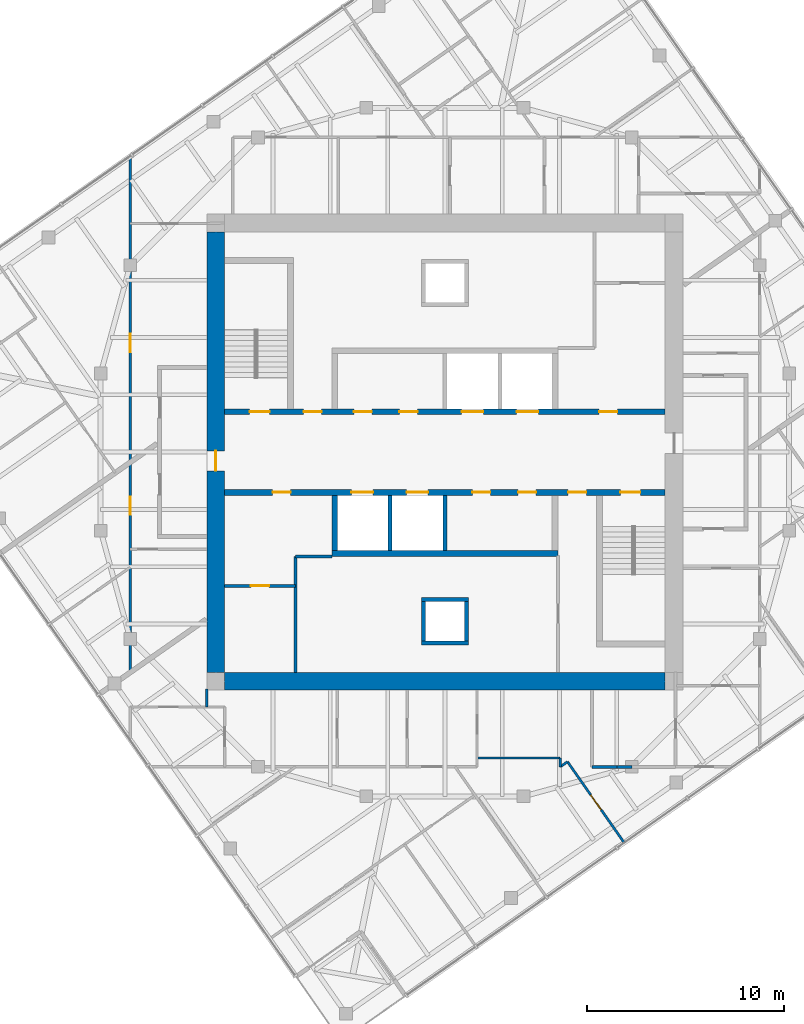
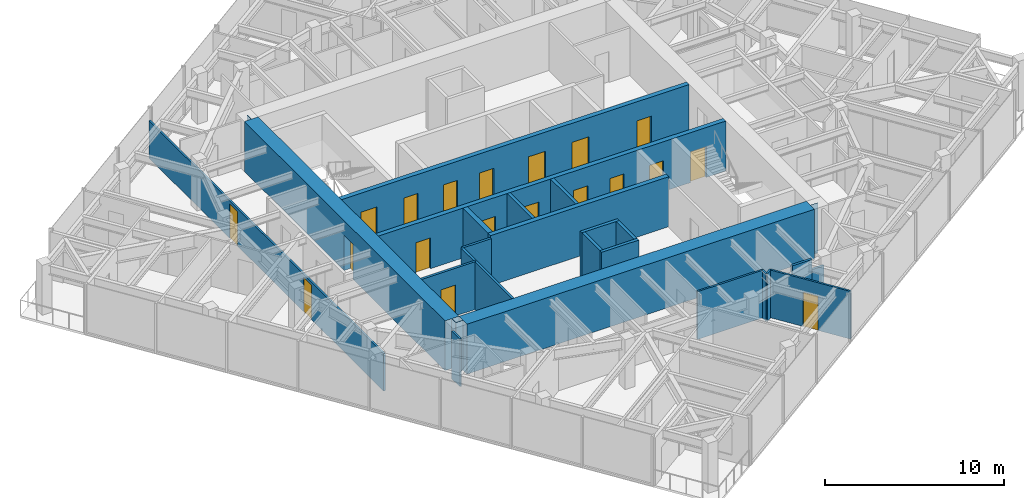
# One storey, part 8 of 12: 23 walls, 19 doors, 19 openings.
"""IFC4 building model written with IfcOpenShell, lengths in metres."""

from ifc_helpers import new_model, si_unit, direction, frame, frame_2d, origin, place, context, subcontext, project, spatial, polyline, rectangle, outline, extrude, material, layer, layer_set, type_object, element, fill, save


model = new_model("IFC4")

# Units and contexts
model_context = context("Model", 3, precision=1e-05, world=origin(), true_north=direction((0.0, 1.0)))
body_context = subcontext(model_context, "Body", "Model", "MODEL_VIEW")
ifc_project = project(units=[si_unit("LENGTHUNIT", "METRE"), si_unit("AREAUNIT", "SQUARE_METRE"), si_unit("VOLUMEUNIT", "CUBIC_METRE"), si_unit("PLANEANGLEUNIT", "RADIAN"), si_unit("MASSUNIT", "GRAM", prefix="KILO")], contexts=[model_context])

# Site, building, storey
site_placement = place(None, origin())
site = spatial("IfcSite", under=ifc_project, at=site_placement, CompositionType="ELEMENT")
building_placement = place(site_placement, origin())
building = spatial("IfcBuilding", under=site, at=building_placement, Name="Torsade Residences", CompositionType="ELEMENT")
storey_placement = place(building_placement, frame((0.0, 0.0, 250.60009765625)))
storey = spatial("IfcBuildingStorey", under=building, at=storey_placement, Name="L69", CompositionType="ELEMENT", Elevation=250.60009765625)

# Wall, openings, doors
ifc_material_1 = material(Name="Concrete 80 MPa", Category="concrete")
ifc_layer_1 = layer(ifc_material_1, 0.300048828125)
ifc_layer_set_1 = layer_set([ifc_layer_1], Name="Concrete 80 MPa")
wall_type_1 = type_object("IfcWallType", Name="CORE INTERNAL WALL 300", PredefinedType="SHEAR", material=ifc_layer_set_1)
wall_1_placement = place(storey_placement, frame((28.800048828125, 32.050048828125, 0.0), z_axis=(0.0, 0.0, 1.0), x_axis=(1.0, 0.0, 0.0)))
wall_1 = element("IfcWall", 1, at=wall_1_placement, inside=storey, type_object=wall_type_1, Name="Core wall LN L69", PredefinedType="SHEAR", context=body_context, shape_type="SweptSolid", body=[
    extrude(rectangle(XDim=22.39990234375, YDim=0.300048828125, at=frame_2d((11.199951171875, 0.0))), origin(), (0.0, 0.0, 1.0), 3.39990234375),
])
opening_1_placement = place(wall_1_placement, frame((19.0400390625, 0.0, 0.0)))
opening_1 = element("IfcOpeningElement", 2, at=opening_1_placement, cuts=wall_1, Name="Opening D06", PredefinedType="OPENING", context=body_context, shape_type="SweptSolid", body=[
    extrude(rectangle(XDim=0.919921875, YDim=2.10009765625, at=frame_2d((0.4599609375, 1.050048828125))), frame((0.0, 0.159912109375, 0.0), z_axis=(0.0, -1.0, 0.0), x_axis=(1.0, 0.0, 0.0)), (0.0, 0.0, 1.0), 0.320068359375),
])
opening_2_placement = place(wall_1_placement, frame((1.264892578125, 0.0, 0.0)))
opening_2 = element("IfcOpeningElement", 3, at=opening_2_placement, cuts=wall_1, Name="Opening D03", PredefinedType="OPENING", context=body_context, shape_type="SweptSolid", body=[
    extrude(rectangle(XDim=1.02001953125, YDim=2.10009765625, at=frame_2d((0.510009765625, 1.050048828125))), frame((0.0, 0.159912109375, 0.0), z_axis=(0.0, -1.0, 0.0), x_axis=(1.0, 0.0, 0.0)), (0.0, 0.0, 1.0), 0.320068359375),
])
opening_3_placement = place(wall_1_placement, frame((4.014892578125, 0.0, 0.0)))
opening_3 = element("IfcOpeningElement", 4, at=opening_3_placement, cuts=wall_1, Name="Opening D06", PredefinedType="OPENING", context=body_context, shape_type="SweptSolid", body=[
    extrude(rectangle(XDim=0.919921875, YDim=2.10009765625, at=frame_2d((0.4599609375, 1.050048828125))), frame((0.0, 0.159912109375, 0.0), z_axis=(0.0, -1.0, 0.0), x_axis=(1.0, 0.0, 0.0)), (0.0, 0.0, 1.0), 0.320068359375),
])
opening_4_placement = place(wall_1_placement, frame((6.56494140625, 0.0, 0.0)))
opening_4 = element("IfcOpeningElement", 5, at=opening_4_placement, cuts=wall_1, Name="Opening D06", PredefinedType="OPENING", context=body_context, shape_type="SweptSolid", body=[
    extrude(rectangle(XDim=0.919921875, YDim=2.10009765625, at=frame_2d((0.4599609375, 1.050048828125))), frame((0.0, 0.159912109375, 0.0), z_axis=(0.0, -1.0, 0.0), x_axis=(1.0, 0.0, 0.0)), (0.0, 0.0, 1.0), 0.320068359375),
])
opening_5_placement = place(wall_1_placement, frame((8.889892578125, 0.0, 0.0)))
opening_5 = element("IfcOpeningElement", 6, at=opening_5_placement, cuts=wall_1, Name="Opening D06", PredefinedType="OPENING", context=body_context, shape_type="SweptSolid", body=[
    extrude(rectangle(XDim=0.919921875, YDim=2.10009765625, at=frame_2d((0.4599609375, 1.050048828125))), frame((0.0, 0.159912109375, 0.0), z_axis=(0.0, -1.0, 0.0), x_axis=(1.0, 0.0, 0.0)), (0.0, 0.0, 1.0), 0.320068359375),
])
opening_6_placement = place(wall_1_placement, frame((12.050048828125, 0.0, 0.0)))
opening_6 = element("IfcOpeningElement", 7, at=opening_6_placement, cuts=wall_1, Name="Opening LD", PredefinedType="OPENING", context=body_context, shape_type="SweptSolid", body=[
    extrude(rectangle(XDim=1.10009765625, YDim=2.10009765625, at=frame_2d((0.550048828125, 1.050048828125))), frame((0.0, 0.159912109375, 0.0), z_axis=(0.0, -1.0, 0.0), x_axis=(1.0, 0.0, 0.0)), (0.0, 0.0, 1.0), 0.320068359375),
])
opening_7_placement = place(wall_1_placement, frame((14.85009765625, 0.0, 0.0)))
opening_7 = element("IfcOpeningElement", 8, at=opening_7_placement, cuts=wall_1, Name="Opening LD", PredefinedType="OPENING", context=body_context, shape_type="SweptSolid", body=[
    extrude(rectangle(XDim=1.10009765625, YDim=2.10009765625, at=frame_2d((0.550048828125, 1.050048828125))), frame((0.0, 0.159912109375, 0.0), z_axis=(0.0, -1.0, 0.0), x_axis=(1.0, 0.0, 0.0)), (0.0, 0.0, 1.0), 0.320068359375),
])
ifc_material_2 = material(Name="Steel-framed fire door", Category="steel")
door_type_1 = type_object("IfcDoorType", Name="FIRE DOOR 1020", OperationType="NOTDEFINED", PredefinedType="DOOR", material=ifc_material_2)
door_1_placement = place(opening_2_placement, origin())
door_1 = element("IfcDoor", 9, at=door_1_placement, inside=storey, type_object=door_type_1, Name="Exit door to fire-isolated stair ST1 L69", OperationType="SINGLE_SWING_RIGHT", OverallHeight=2.10009765625, OverallWidth=1.02001953125, PredefinedType="DOOR", context=body_context, shape_type="SweptSolid", body=[
    extrude(rectangle(XDim=1.02001953125, YDim=2.10009765625, at=frame_2d((0.510009765625, 1.050048828125))), frame((0.0, 0.02490234375, 0.0), z_axis=(0.0, -1.0, 0.0), x_axis=(1.0, 0.0, 0.0)), (0.0, 0.0, 1.0), 0.050048828125),
])
fill(opening_2, door_1)
ifc_material_3 = material(Name="Steel-framed fire door", Category="steel")
door_type_2 = type_object("IfcDoorType", Name="FIRE DOOR 920", OperationType="NOTDEFINED", PredefinedType="DOOR", material=ifc_material_3)
door_2_placement = place(opening_1_placement, origin())
door_2 = element("IfcDoor", 10, at=door_2_placement, inside=storey, type_object=door_type_2, Name="Door Lift lobby to Refuse room", OperationType="SINGLE_SWING_LEFT", OverallHeight=2.10009765625, OverallWidth=0.919921875, PredefinedType="DOOR", context=body_context, shape_type="SweptSolid", body=[
    extrude(rectangle(XDim=0.919921875, YDim=2.10009765625, at=frame_2d((0.4599609375, 1.050048828125))), frame((0.0, 0.02490234375, 0.0), z_axis=(0.0, -1.0, 0.0), x_axis=(1.0, 0.0, 0.0)), (0.0, 0.0, 1.0), 0.050048828125),
])
fill(opening_1, door_2)
door_3_placement = place(opening_3_placement, origin())
door_3 = element("IfcDoor", 11, at=door_3_placement, inside=storey, type_object=door_type_2, Name="Door Lift lobby to Electrical riser room", OperationType="SINGLE_SWING_LEFT", OverallHeight=2.10009765625, OverallWidth=0.919921875, PredefinedType="DOOR", context=body_context, shape_type="SweptSolid", body=[
    extrude(rectangle(XDim=0.919921875, YDim=2.10009765625, at=frame_2d((0.4599609375, 1.050048828125))), frame((0.0, 0.02490234375, 0.0), z_axis=(0.0, -1.0, 0.0), x_axis=(1.0, 0.0, 0.0)), (0.0, 0.0, 1.0), 0.050048828125),
])
fill(opening_3, door_3)
door_4_placement = place(opening_4_placement, origin())
door_4 = element("IfcDoor", 12, at=door_4_placement, inside=storey, type_object=door_type_2, Name="Door Lift lobby to Building manager store L69A", OperationType="SINGLE_SWING_LEFT", OverallHeight=2.10009765625, OverallWidth=0.919921875, PredefinedType="DOOR", context=body_context, shape_type="SweptSolid", body=[
    extrude(rectangle(XDim=0.919921875, YDim=2.10009765625, at=frame_2d((0.4599609375, 1.050048828125))), frame((0.0, 0.02490234375, 0.0), z_axis=(0.0, -1.0, 0.0), x_axis=(1.0, 0.0, 0.0)), (0.0, 0.0, 1.0), 0.050048828125),
])
fill(opening_4, door_4)
door_5_placement = place(opening_5_placement, origin())
door_5 = element("IfcDoor", 13, at=door_5_placement, inside=storey, type_object=door_type_2, Name="Door Lift lobby to Building manager store L69A", OperationType="SINGLE_SWING_LEFT", OverallHeight=2.10009765625, OverallWidth=0.919921875, PredefinedType="DOOR", context=body_context, shape_type="SweptSolid", body=[
    extrude(rectangle(XDim=0.919921875, YDim=2.10009765625, at=frame_2d((0.4599609375, 1.050048828125))), frame((0.0, 0.02490234375, 0.0), z_axis=(0.0, -1.0, 0.0), x_axis=(1.0, 0.0, 0.0)), (0.0, 0.0, 1.0), 0.050048828125),
])
fill(opening_5, door_5)
ifc_material_4 = material(Name="Stainless steel lift landing door", Category="steel")
door_type_3 = type_object("IfcDoorType", Name="LIFT LANDING DOOR 1100", OperationType="SLIDING_TO_LEFT", PredefinedType="DOOR", material=ifc_material_4)
door_6_placement = place(opening_6_placement, origin())
door_6 = element("IfcDoor", 14, at=door_6_placement, inside=storey, type_object=door_type_3, Name="Lift LA3 landing door L69", OperationType="SLIDING_TO_LEFT", OverallHeight=2.10009765625, OverallWidth=1.10009765625, PredefinedType="DOOR", context=body_context, shape_type="SweptSolid", body=[
    extrude(rectangle(XDim=1.10009765625, YDim=2.10009765625, at=frame_2d((0.550048828125, 1.050048828125))), frame((0.0, 0.02490234375, 0.0), z_axis=(0.0, -1.0, 0.0), x_axis=(1.0, 0.0, 0.0)), (0.0, 0.0, 1.0), 0.050048828125),
])
fill(opening_6, door_6)
door_7_placement = place(opening_7_placement, origin())
door_7 = element("IfcDoor", 15, at=door_7_placement, inside=storey, type_object=door_type_3, Name="Lift FL1 landing door L69", OperationType="SLIDING_TO_LEFT", OverallHeight=2.10009765625, OverallWidth=1.10009765625, PredefinedType="DOOR", context=body_context, shape_type="SweptSolid", body=[
    extrude(rectangle(XDim=1.10009765625, YDim=2.10009765625, at=frame_2d((0.550048828125, 1.050048828125))), frame((0.0, 0.02490234375, 0.0), z_axis=(0.0, -1.0, 0.0), x_axis=(1.0, 0.0, 0.0)), (0.0, 0.0, 1.0), 0.050048828125),
])
fill(opening_7, door_7)

wall_2_placement = place(storey_placement, frame((51.199951171875, 27.949951171875, 0.0), z_axis=(0.0, 0.0, 1.0), x_axis=(-1.0, 0.0, 0.0)))
wall_2 = element("IfcWall", 16, at=wall_2_placement, inside=storey, type_object=wall_type_1, Name="Core wall LS L69", PredefinedType="SHEAR", context=body_context, shape_type="SweptSolid", body=[
    extrude(rectangle(XDim=22.39990234375, YDim=0.300048828125, at=frame_2d((11.199951171875, 0.0))), origin(), (0.0, 0.0, 1.0), 3.39990234375),
])
opening_8_placement = place(wall_2_placement, frame((19.0400390625, 0.0, 0.0)))
opening_8 = element("IfcOpeningElement", 17, at=opening_8_placement, cuts=wall_2, Name="Opening D06", PredefinedType="OPENING", context=body_context, shape_type="SweptSolid", body=[
    extrude(rectangle(XDim=0.919921875, YDim=2.10009765625, at=frame_2d((0.4599609375, 1.050048828125))), frame((0.0, 0.159912109375, 0.0), z_axis=(0.0, -1.0, 0.0), x_axis=(1.0, 0.0, 0.0)), (0.0, 0.0, 1.0), 0.320068359375),
])
opening_9_placement = place(wall_2_placement, frame((1.264892578125, 0.0, 0.0)))
opening_9 = element("IfcOpeningElement", 18, at=opening_9_placement, cuts=wall_2, Name="Opening D03", PredefinedType="OPENING", context=body_context, shape_type="SweptSolid", body=[
    extrude(rectangle(XDim=1.02001953125, YDim=2.10009765625, at=frame_2d((0.510009765625, 1.050048828125))), frame((0.0, 0.159912109375, 0.0), z_axis=(0.0, -1.0, 0.0), x_axis=(1.0, 0.0, 0.0)), (0.0, 0.0, 1.0), 0.320068359375),
])
opening_10_placement = place(wall_2_placement, frame((4.014892578125, 0.0, 0.0)))
opening_10 = element("IfcOpeningElement", 19, at=opening_10_placement, cuts=wall_2, Name="Opening D06", PredefinedType="OPENING", context=body_context, shape_type="SweptSolid", body=[
    extrude(rectangle(XDim=0.919921875, YDim=2.10009765625, at=frame_2d((0.4599609375, 1.050048828125))), frame((0.0, 0.159912109375, 0.0), z_axis=(0.0, -1.0, 0.0), x_axis=(1.0, 0.0, 0.0)), (0.0, 0.0, 1.0), 0.320068359375),
])
opening_11_placement = place(wall_2_placement, frame((8.889892578125, 0.0, 0.0)))
opening_11 = element("IfcOpeningElement", 20, at=opening_11_placement, cuts=wall_2, Name="Opening D06", PredefinedType="OPENING", context=body_context, shape_type="SweptSolid", body=[
    extrude(rectangle(XDim=0.919921875, YDim=2.10009765625, at=frame_2d((0.4599609375, 1.050048828125))), frame((0.0, 0.159912109375, 0.0), z_axis=(0.0, -1.0, 0.0), x_axis=(1.0, 0.0, 0.0)), (0.0, 0.0, 1.0), 0.320068359375),
])
opening_12_placement = place(wall_2_placement, frame((6.56494140625, 0.0, 0.0)))
opening_12 = element("IfcOpeningElement", 21, at=opening_12_placement, cuts=wall_2, Name="Opening D06", PredefinedType="OPENING", context=body_context, shape_type="SweptSolid", body=[
    extrude(rectangle(XDim=0.919921875, YDim=2.10009765625, at=frame_2d((0.4599609375, 1.050048828125))), frame((0.0, 0.159912109375, 0.0), z_axis=(0.0, -1.0, 0.0), x_axis=(1.0, 0.0, 0.0)), (0.0, 0.0, 1.0), 0.320068359375),
])
opening_13_placement = place(wall_2_placement, frame((12.050048828125, 0.0, 0.0)))
opening_13 = element("IfcOpeningElement", 22, at=opening_13_placement, cuts=wall_2, Name="Opening LD", PredefinedType="OPENING", context=body_context, shape_type="SweptSolid", body=[
    extrude(rectangle(XDim=1.10009765625, YDim=2.10009765625, at=frame_2d((0.550048828125, 1.050048828125))), frame((0.0, 0.159912109375, 0.0), z_axis=(0.0, -1.0, 0.0), x_axis=(1.0, 0.0, 0.0)), (0.0, 0.0, 1.0), 0.320068359375),
])
opening_14_placement = place(wall_2_placement, frame((14.85009765625, 0.0, 0.0)))
opening_14 = element("IfcOpeningElement", 23, at=opening_14_placement, cuts=wall_2, Name="Opening LD", PredefinedType="OPENING", context=body_context, shape_type="SweptSolid", body=[
    extrude(rectangle(XDim=1.10009765625, YDim=2.10009765625, at=frame_2d((0.550048828125, 1.050048828125))), frame((0.0, 0.159912109375, 0.0), z_axis=(0.0, -1.0, 0.0), x_axis=(1.0, 0.0, 0.0)), (0.0, 0.0, 1.0), 0.320068359375),
])
door_8_placement = place(opening_9_placement, origin())
door_8 = element("IfcDoor", 24, at=door_8_placement, inside=storey, type_object=door_type_1, Name="Exit door to fire-isolated stair ST2 L69", OperationType="SINGLE_SWING_RIGHT", OverallHeight=2.10009765625, OverallWidth=1.02001953125, PredefinedType="DOOR", context=body_context, shape_type="SweptSolid", body=[
    extrude(rectangle(XDim=1.02001953125, YDim=2.10009765625, at=frame_2d((0.510009765625, 1.050048828125))), frame((0.0, 0.02490234375, 0.0), z_axis=(0.0, -1.0, 0.0), x_axis=(1.0, 0.0, 0.0)), (0.0, 0.0, 1.0), 0.050048828125),
])
fill(opening_9, door_8)
door_9_placement = place(opening_8_placement, origin())
door_9 = element("IfcDoor", 25, at=door_9_placement, inside=storey, type_object=door_type_2, Name="Door Lift lobby to Cleaner store", OperationType="SINGLE_SWING_LEFT", OverallHeight=2.10009765625, OverallWidth=0.919921875, PredefinedType="DOOR", context=body_context, shape_type="SweptSolid", body=[
    extrude(rectangle(XDim=0.919921875, YDim=2.10009765625, at=frame_2d((0.4599609375, 1.050048828125))), frame((0.0, 0.02490234375, 0.0), z_axis=(0.0, -1.0, 0.0), x_axis=(1.0, 0.0, 0.0)), (0.0, 0.0, 1.0), 0.050048828125),
])
fill(opening_8, door_9)
door_10_placement = place(opening_10_placement, origin())
door_10 = element("IfcDoor", 26, at=door_10_placement, inside=storey, type_object=door_type_2, Name="Door Lift lobby to Communications equipment store", OperationType="SINGLE_SWING_RIGHT", OverallHeight=2.10009765625, OverallWidth=0.919921875, PredefinedType="DOOR", context=body_context, shape_type="SweptSolid", body=[
    extrude(rectangle(XDim=0.919921875, YDim=2.10009765625, at=frame_2d((0.4599609375, 1.050048828125))), frame((0.0, 0.02490234375, 0.0), z_axis=(0.0, -1.0, 0.0), x_axis=(1.0, 0.0, 0.0)), (0.0, 0.0, 1.0), 0.050048828125),
])
fill(opening_10, door_10)
door_11_placement = place(opening_11_placement, origin())
door_11 = element("IfcDoor", 27, at=door_11_placement, inside=storey, type_object=door_type_2, Name="Door Lift lobby to Parcel room L69B", OperationType="SINGLE_SWING_LEFT", OverallHeight=2.10009765625, OverallWidth=0.919921875, PredefinedType="DOOR", context=body_context, shape_type="SweptSolid", body=[
    extrude(rectangle(XDim=0.919921875, YDim=2.10009765625, at=frame_2d((0.4599609375, 1.050048828125))), frame((0.0, 0.02490234375, 0.0), z_axis=(0.0, -1.0, 0.0), x_axis=(1.0, 0.0, 0.0)), (0.0, 0.0, 1.0), 0.050048828125),
])
fill(opening_11, door_11)
door_12_placement = place(opening_12_placement, origin())
door_12 = element("IfcDoor", 28, at=door_12_placement, inside=storey, type_object=door_type_2, Name="Door Lift lobby to Parcel room L69B", OperationType="SINGLE_SWING_RIGHT", OverallHeight=2.10009765625, OverallWidth=0.919921875, PredefinedType="DOOR", context=body_context, shape_type="SweptSolid", body=[
    extrude(rectangle(XDim=0.919921875, YDim=2.10009765625, at=frame_2d((0.4599609375, 1.050048828125))), frame((0.0, 0.02490234375, 0.0), z_axis=(0.0, -1.0, 0.0), x_axis=(1.0, 0.0, 0.0)), (0.0, 0.0, 1.0), 0.050048828125),
])
fill(opening_12, door_12)
door_13_placement = place(opening_13_placement, origin())
door_13 = element("IfcDoor", 29, at=door_13_placement, inside=storey, type_object=door_type_3, Name="Lift LB3 landing door L69", OperationType="SLIDING_TO_LEFT", OverallHeight=2.10009765625, OverallWidth=1.10009765625, PredefinedType="DOOR", context=body_context, shape_type="SweptSolid", body=[
    extrude(rectangle(XDim=1.10009765625, YDim=2.10009765625, at=frame_2d((0.550048828125, 1.050048828125))), frame((0.0, 0.02490234375, 0.0), z_axis=(0.0, -1.0, 0.0), x_axis=(1.0, 0.0, 0.0)), (0.0, 0.0, 1.0), 0.050048828125),
])
fill(opening_13, door_13)
door_14_placement = place(opening_14_placement, origin())
door_14 = element("IfcDoor", 30, at=door_14_placement, inside=storey, type_object=door_type_3, Name="Lift FL2 landing door L69", OperationType="SLIDING_TO_LEFT", OverallHeight=2.10009765625, OverallWidth=1.10009765625, PredefinedType="DOOR", context=body_context, shape_type="SweptSolid", body=[
    extrude(rectangle(XDim=1.10009765625, YDim=2.10009765625, at=frame_2d((0.550048828125, 1.050048828125))), frame((0.0, 0.02490234375, 0.0), z_axis=(0.0, -1.0, 0.0), x_axis=(1.0, 0.0, 0.0)), (0.0, 0.0, 1.0), 0.050048828125),
])
fill(opening_14, door_14)

# Walls
wall_3_placement = place(storey_placement, frame((45.75, 24.85009765625, 0.0), z_axis=(0.0, 0.0, 1.0), x_axis=(-1.0, 0.0, 0.0)))
element("IfcWall", 31, at=wall_3_placement, inside=storey, type_object=wall_type_1, Name="Core wall BS L69", PredefinedType="SHEAR", context=body_context, shape_type="SweptSolid", body=[
    extrude(rectangle(XDim=11.5, YDim=0.300048828125, at=frame_2d((5.75, 0.0))), origin(), (0.0, 0.0, 1.0), 3.39990234375),
])
wall_4_placement = place(storey_placement, frame((34.39990234375, 27.800048828125, 0.0), z_axis=(0.0, 0.0, 1.0), x_axis=(0.0, -1.0, 0.0)))
element("IfcWall", 32, at=wall_4_placement, inside=storey, type_object=wall_type_1, Name="Core wall DS4 L69", PredefinedType="SHEAR", context=body_context, shape_type="SweptSolid", body=[
    extrude(rectangle(XDim=2.800048828125, YDim=0.300048828125, at=frame_2d((1.39990234375, 0.0))), origin(), (0.0, 0.0, 1.0), 3.39990234375),
])
ifc_material_5 = material(Name="Concrete 80 MPa", Category="concrete")
ifc_layer_2 = layer(ifc_material_5, 0.89990234375)
ifc_layer_set_2 = layer_set([ifc_layer_2], Name="Concrete 80 MPa")
wall_type_2 = type_object("IfcWallType", Name="CORE WALL 900", PredefinedType="SHEAR", material=ifc_layer_set_2)
wall_5_placement = place(storey_placement, frame((51.199951171875, 18.35009765625, 0.0), z_axis=(0.0, 0.0, 1.0), x_axis=(-1.0, 0.0, 0.0)))
element("IfcWall", 33, at=wall_5_placement, inside=storey, type_object=wall_type_2, Name="Core wall S L69", PredefinedType="SHEAR", context=body_context, shape_type="SweptSolid", body=[
    extrude(outline(polyline([(0.0, -0.449951171875), (22.39990234375, -0.449951171875), (22.39990234375, -0.02490234375), (22.849853515625, -0.02490234375), (22.849853515625, 0.02490234375), (22.39990234375, 0.02490234375), (22.39990234375, 0.449951171875), (0.0, 0.449951171875), (0.0, 0.02490234375), (-0.449951171875, 0.02490234375), (-0.449951171875, -0.02490234375), (0.0, -0.02490234375), (0.0, -0.449951171875)])), origin(), (0.0, 0.0, 1.0), 3.39990234375),
])

# Wall, opening, door
wall_6_placement = place(storey_placement, frame((28.35009765625, 41.199951171875, 0.0), z_axis=(0.0, 0.0, 1.0), x_axis=(0.0, -1.0, 0.0)))
wall_6 = element("IfcWall", 34, at=wall_6_placement, inside=storey, type_object=wall_type_2, Name="Core wall W L69", PredefinedType="SHEAR", context=body_context, shape_type="SweptSolid", body=[
    extrude(outline(polyline([(0.0, -0.449951171875), (22.39990234375, -0.449951171875), (22.39990234375, -0.02490234375), (22.849853515625, -0.02490234375), (22.849853515625, 0.02490234375), (22.39990234375, 0.02490234375), (22.39990234375, 0.449951171875), (0.0, 0.449951171875), (0.0, 0.02490234375), (-0.449951171875, 0.02490234375), (-0.449951171875, -0.02490234375), (0.0, -0.02490234375), (0.0, -0.449951171875)])), origin(), (0.0, 0.0, 1.0), 3.39990234375),
])
opening_15_placement = place(wall_6_placement, frame((11.139892578125, 0.0, 0.0)))
opening_15 = element("IfcOpeningElement", 35, at=opening_15_placement, cuts=wall_6, Name="Opening D04", PredefinedType="OPENING", context=body_context, shape_type="SweptSolid", body=[
    extrude(rectangle(XDim=1.02001953125, YDim=2.39990234375, at=frame_2d((0.510009765625, 1.199951171875))), frame((0.0, 0.4599609375, 0.0), z_axis=(0.0, -1.0, 0.0), x_axis=(1.0, 0.0, 0.0)), (0.0, 0.0, 1.0), 0.919921875),
])
ifc_material_6 = material(Name="Steel-framed fire door", Category="steel")
door_type_4 = type_object("IfcDoorType", Name="LOBBY SMOKE DOOR 1020x2400", OperationType="NOTDEFINED", PredefinedType="DOOR", material=ifc_material_6)
door_15_placement = place(opening_15_placement, origin())
door_15 = element("IfcDoor", 36, at=door_15_placement, inside=storey, type_object=door_type_4, Name="Lift lobby door W L69", OperationType="SINGLE_SWING_RIGHT", OverallHeight=2.39990234375, OverallWidth=1.02001953125, PredefinedType="DOOR", context=body_context, shape_type="SweptSolid", body=[
    extrude(rectangle(XDim=1.02001953125, YDim=2.39990234375, at=frame_2d((0.510009765625, 1.199951171875))), frame((0.0, 0.02490234375, 0.0), z_axis=(0.0, -1.0, 0.0), x_axis=(1.0, 0.0, 0.0)), (0.0, 0.0, 1.0), 0.050048828125),
])
fill(opening_15, door_15)

# Walls
ifc_material_7 = material(Name="Reinforced blockwork", Category="masonry")
ifc_layer_3 = layer(ifc_material_7, 0.199951171875)
ifc_layer_set_3 = layer_set([ifc_layer_3], Name="Reinforced blockwork")
wall_type_3 = type_object("IfcWallType", Name="LIFT SHAFT DIVIDING WALL 200", PredefinedType="SOLIDWALL", material=ifc_layer_set_3)
for number, where, z_axis, x_axis, name in (
    (37, (40.0, 27.800048828125, 0.0), (0.0, 0.0, 1.0), (0.0, -1.0, 0.0), "Core wall DS2 L69"),
    (38, (37.199951171875, 27.800048828125, 0.0), (0.0, 0.0, 1.0), (0.0, -1.0, 0.0), "Core wall DS3 L69"),
):
    element("IfcWall", number, at=place(storey_placement, frame(where, z_axis=z_axis, x_axis=x_axis)), inside=storey, type_object=wall_type_3, Name=name, PredefinedType="SOLIDWALL", context=body_context, shape_type="SweptSolid", body=[
        extrude(rectangle(XDim=2.800048828125, YDim=0.199951171875, at=frame_2d((1.39990234375, 0.0))), origin(), (0.0, 0.0, 1.0), 3.39990234375),
    ])

# Wall, openings, doors
ifc_material_8 = material(Name="Plasterboard on steel stud", Category="steel")
ifc_layer_4 = layer(ifc_material_8, 0.1201171875)
ifc_layer_set_4 = layer_set([ifc_layer_4], Name="Plasterboard on steel stud")
wall_type_4 = type_object("IfcWallType", Name="PARTITION 120", PredefinedType="PARTITIONING", material=ifc_layer_set_4)
wall_7_placement = place(storey_placement, frame((24.0, 18.796630859375, 0.0), z_axis=(0.0, 0.0, 1.0), x_axis=(0.0, 1.0, 0.0)))
wall_7 = element("IfcWall", 39, at=wall_7_placement, inside=storey, type_object=wall_type_4, Name="Partition L69", PredefinedType="PARTITIONING", context=body_context, shape_type="SweptSolid", body=[
    extrude(rectangle(XDim=26.19775390625, YDim=0.1201171875, at=frame_2d((13.098876953125, 0.0))), origin(), (0.0, 0.0, 1.0), 2.5498046875),
])
opening_16_placement = place(wall_7_placement, frame((8.016357421875, 0.0, 0.0)))
opening_16 = element("IfcOpeningElement", 40, at=opening_16_placement, cuts=wall_7, Name="Opening D02", PredefinedType="OPENING", context=body_context, shape_type="SweptSolid", body=[
    extrude(rectangle(XDim=0.919921875, YDim=2.340087890625, at=frame_2d((0.4599609375, 1.169921875))), frame((0.0, 0.070068359375, 0.0), z_axis=(0.0, -1.0, 0.0), x_axis=(1.0, 0.0, 0.0)), (0.0, 0.0, 1.0), 0.14013671875),
])
opening_17_placement = place(wall_7_placement, frame((16.291748046875, 0.0, 0.0)))
opening_17 = element("IfcOpeningElement", 41, at=opening_17_placement, cuts=wall_7, Name="Opening D02", PredefinedType="OPENING", context=body_context, shape_type="SweptSolid", body=[
    extrude(rectangle(XDim=0.919921875, YDim=2.340087890625, at=frame_2d((0.4599609375, 1.169921875))), frame((0.0, 0.070068359375, 0.0), z_axis=(0.0, -1.0, 0.0), x_axis=(1.0, 0.0, 0.0)), (0.0, 0.0, 1.0), 0.14013671875),
])
ifc_material_9 = material(Name="Hollow-core timber door", Category="wood")
door_type_5 = type_object("IfcDoorType", Name="INTERNAL DOOR 920x2340", OperationType="NOTDEFINED", PredefinedType="DOOR", material=ifc_material_9)
door_16_placement = place(opening_16_placement, origin())
door_16 = element("IfcDoor", 42, at=door_16_placement, inside=storey, type_object=door_type_5, Name="Door Kitchen and dining to Living room", OperationType="SINGLE_SWING_RIGHT", OverallHeight=2.340087890625, OverallWidth=0.919921875, PredefinedType="DOOR", context=body_context, shape_type="SweptSolid", body=[
    extrude(rectangle(XDim=0.919921875, YDim=2.340087890625, at=frame_2d((0.4599609375, 1.169921875))), frame((0.0, 0.02490234375, 0.0), z_axis=(0.0, -1.0, 0.0), x_axis=(1.0, 0.0, 0.0)), (0.0, 0.0, 1.0), 0.050048828125),
])
fill(opening_16, door_16)
door_17_placement = place(opening_17_placement, origin())
door_17 = element("IfcDoor", 43, at=door_17_placement, inside=storey, type_object=door_type_5, Name="Door Kitchen and dining to Living room", OperationType="SINGLE_SWING_RIGHT", OverallHeight=2.340087890625, OverallWidth=0.919921875, PredefinedType="DOOR", context=body_context, shape_type="SweptSolid", body=[
    extrude(rectangle(XDim=0.919921875, YDim=2.340087890625, at=frame_2d((0.4599609375, 1.169921875))), frame((0.0, 0.02490234375, 0.0), z_axis=(0.0, -1.0, 0.0), x_axis=(1.0, 0.0, 0.0)), (0.0, 0.0, 1.0), 0.050048828125),
])
fill(opening_17, door_17)

# Walls
wall_8_placement = place(storey_placement, frame((27.89990234375, 17.949951171875, 0.0), z_axis=(0.0, 0.0, 1.0), x_axis=(0.0, -1.0, 0.0)))
element("IfcWall", 44, at=wall_8_placement, inside=storey, type_object=wall_type_4, Name="Partition L69", PredefinedType="PARTITIONING", context=body_context, shape_type="SweptSolid", body=[
    extrude(rectangle(XDim=0.90869140625, YDim=0.1201171875, at=frame_2d((0.454345703125, 0.0))), origin(), (0.0, 0.0, 1.0), 3.25),
])
wall_9_placement = place(storey_placement, frame((41.633544921875, 14.449951171875, 0.0), z_axis=(0.0, 0.0, 1.0), x_axis=(1.0, 0.0, 0.0)))
element("IfcWall", 45, at=wall_9_placement, inside=storey, type_object=wall_type_4, Name="Partition L69", PredefinedType="PARTITIONING", context=body_context, shape_type="SweptSolid", body=[
    extrude(rectangle(XDim=4.228759765625, YDim=0.1201171875, at=frame_2d((2.1142578125, 0.0))), origin(), (0.0, 0.0, 1.0), 3.25),
])
for number, where, z_axis, x_axis, name in (
    (46, (45.8623046875, 14.449951171875, 0.0), (0.0, 0.0, 1.0), (0.0, -1.0, 0.0), "Partition L69"),
    (47, (45.8623046875, 14.0, 0.0), (0.0, 0.0, 1.0), (0.819231920519, 0.573462344363, 0.0), "Partition L69"),
):
    element("IfcWall", number, at=place(storey_placement, frame(where, z_axis=z_axis, x_axis=x_axis)), inside=storey, type_object=wall_type_4, Name=name, PredefinedType="PARTITIONING", context=body_context, shape_type="SweptSolid", body=[
        extrude(rectangle(XDim=0.449951171875, YDim=0.1201171875, at=frame_2d((0.22509765625, 0.0))), origin(), (0.0, 0.0, 1.0), 3.25),
    ])

# Wall, opening, door
wall_10_placement = place(storey_placement, frame((46.23095703125, 14.258056640625, 0.0), z_axis=(0.0, 0.0, 1.0), x_axis=(0.57358708951, -0.819144584763, 0.0)))
wall_10 = element("IfcWall", 48, at=wall_10_placement, inside=storey, type_object=wall_type_4, Name="Partition L69", PredefinedType="PARTITIONING", context=body_context, shape_type="SweptSolid", body=[
    extrude(rectangle(XDim=4.990966796875, YDim=0.1201171875, at=frame_2d((2.49560546875, 0.0))), origin(), (0.0, 0.0, 1.0), 3.25),
])
opening_18_placement = place(wall_10_placement, frame((2.055419921875, 0.0, 0.0)))
opening_18 = element("IfcOpeningElement", 49, at=opening_18_placement, cuts=wall_10, Name="Opening D02", PredefinedType="OPENING", context=body_context, shape_type="SweptSolid", body=[
    extrude(rectangle(XDim=0.919921875, YDim=2.340087890625, at=frame_2d((0.4599609375, 1.169921875))), frame((0.0, 0.070068359375, 0.0), z_axis=(0.0, -1.0, 0.0), x_axis=(1.0, 0.0, 0.0)), (0.0, 0.0, 1.0), 0.14013671875),
])
door_18_placement = place(opening_18_placement, origin())
door_18 = element("IfcDoor", 50, at=door_18_placement, inside=storey, type_object=door_type_5, Name="Door Dining room to Bedroom 4", OperationType="SINGLE_SWING_LEFT", OverallHeight=2.340087890625, OverallWidth=0.919921875, PredefinedType="DOOR", context=body_context, shape_type="SweptSolid", body=[
    extrude(rectangle(XDim=0.919921875, YDim=2.340087890625, at=frame_2d((0.4599609375, 1.169921875))), frame((0.0, 0.02490234375, 0.0), z_axis=(0.0, -1.0, 0.0), x_axis=(1.0, 0.0, 0.0)), (0.0, 0.0, 1.0), 0.050048828125),
])
fill(opening_18, door_18)

# Walls
ifc_material_10 = material(Name="Reinforced blockwork", Category="masonry")
ifc_layer_5 = layer(ifc_material_10, 0.199951171875)
ifc_layer_set_5 = layer_set([ifc_layer_5], Name="Reinforced blockwork")
wall_type_5 = type_object("IfcWallType", Name="RISER SHAFT WALL 200", PredefinedType="SOLIDWALL", material=ifc_layer_set_5)
for number, where, z_axis, x_axis, name in (
    (51, (38.89990234375, 22.39990234375, 0.0), (0.0, 0.0, 1.0), (0.0, -1.0, 0.0), "Core wall RS2a L69"),
    (52, (41.10009765625, 22.39990234375, 0.0), (0.0, 0.0, 1.0), (0.0, -1.0, 0.0), "Core wall RS2b L69"),
):
    element("IfcWall", number, at=place(storey_placement, frame(where, z_axis=z_axis, x_axis=x_axis)), inside=storey, type_object=wall_type_5, Name=name, PredefinedType="SOLIDWALL", context=body_context, shape_type="SweptSolid", body=[
        extrude(rectangle(XDim=2.0, YDim=0.199951171875, at=frame_2d((1.0, 0.0))), origin(), (0.0, 0.0, 1.0), 3.39990234375),
    ])
for number, where, z_axis, x_axis, name in (
    (53, (38.800048828125, 22.5, 0.0), (0.0, 0.0, 1.0), (1.0, 0.0, 0.0), "Core wall RS2c L69"),
    (54, (38.800048828125, 20.300048828125, 0.0), (0.0, 0.0, 1.0), (1.0, 0.0, 0.0), "Core wall RS2d L69"),
):
    element("IfcWall", number, at=place(storey_placement, frame(where, z_axis=z_axis, x_axis=x_axis)), inside=storey, type_object=wall_type_5, Name=name, PredefinedType="SOLIDWALL", context=body_context, shape_type="SweptSolid", body=[
        extrude(rectangle(XDim=2.39990234375, YDim=0.199951171875, at=frame_2d((1.199951171875, 0.0))), origin(), (0.0, 0.0, 1.0), 3.39990234375),
    ])
ifc_material_11 = material(Name="Reinforced blockwork", Category="masonry")
ifc_layer_6 = layer(ifc_material_11, 0.14990234375)
ifc_layer_set_6 = layer_set([ifc_layer_6], Name="Reinforced blockwork")
wall_type_6 = type_object("IfcWallType", Name="SERVICE ROOM WALL 150", PredefinedType="SOLIDWALL", material=ifc_layer_set_6)
wall_11_placement = place(storey_placement, frame((32.39990234375, 18.800048828125, 0.0), z_axis=(0.0, 0.0, 1.0), x_axis=(0.0, 1.0, 0.0)))
element("IfcWall", 55, at=wall_11_placement, inside=storey, type_object=wall_type_6, Name="Service room wall L69", PredefinedType="SOLIDWALL", context=body_context, shape_type="SweptSolid", body=[
    extrude(rectangle(XDim=5.89990234375, YDim=0.14990234375, at=frame_2d((2.949951171875, 0.0))), origin(), (0.0, 0.0, 1.0), 3.25),
])
wall_12_placement = place(storey_placement, frame((32.39990234375, 24.699951171875, 0.0), z_axis=(0.0, 0.0, 1.0), x_axis=(1.0, 0.0, 0.0)))
element("IfcWall", 56, at=wall_12_placement, inside=storey, type_object=wall_type_6, Name="Service room wall L69", PredefinedType="SOLIDWALL", context=body_context, shape_type="SweptSolid", body=[
    extrude(rectangle(XDim=1.85009765625, YDim=0.14990234375, at=frame_2d((0.925048828125, 0.0))), origin(), (0.0, 0.0, 1.0), 3.25),
])

# Wall, opening, door
wall_13_placement = place(storey_placement, frame((32.39990234375, 23.199951171875, 0.0), z_axis=(0.0, 0.0, 1.0), x_axis=(-1.0, 0.0, 0.0)))
wall_13 = element("IfcWall", 57, at=wall_13_placement, inside=storey, type_object=wall_type_6, Name="Service room wall L69", PredefinedType="SOLIDWALL", context=body_context, shape_type="SweptSolid", body=[
    extrude(rectangle(XDim=3.599853515625, YDim=0.14990234375, at=frame_2d((1.7998046875, 0.0))), origin(), (0.0, 0.0, 1.0), 3.25),
])
opening_19_placement = place(wall_13_placement, frame((1.340087890625, 0.0, 0.0)))
opening_19 = element("IfcOpeningElement", 58, at=opening_19_placement, cuts=wall_13, Name="Opening D06", PredefinedType="OPENING", context=body_context, shape_type="SweptSolid", body=[
    extrude(rectangle(XDim=0.919921875, YDim=2.10009765625, at=frame_2d((0.4599609375, 1.050048828125))), frame((0.0, 0.0849609375, 0.0), z_axis=(0.0, -1.0, 0.0), x_axis=(1.0, 0.0, 0.0)), (0.0, 0.0, 1.0), 0.169921875),
])
door_19_placement = place(opening_19_placement, origin())
door_19 = element("IfcDoor", 59, at=door_19_placement, inside=storey, type_object=door_type_2, Name="Door Cleaner store to Sprinkler valve room", OperationType="SINGLE_SWING_LEFT", OverallHeight=2.10009765625, OverallWidth=0.919921875, PredefinedType="DOOR", context=body_context, shape_type="SweptSolid", body=[
    extrude(rectangle(XDim=0.919921875, YDim=2.10009765625, at=frame_2d((0.4599609375, 1.050048828125))), frame((0.0, 0.02490234375, 0.0), z_axis=(0.0, -1.0, 0.0), x_axis=(1.0, 0.0, 0.0)), (0.0, 0.0, 1.0), 0.050048828125),
])
fill(opening_19, door_19)

# Walls
wall_14_placement = place(storey_placement, frame((49.5205078125, 14.0, 0.0), z_axis=(0.0, 0.0, 1.0), x_axis=(-1.0, 0.0, 0.0)))
element("IfcWall", 60, at=wall_14_placement, inside=storey, type_object=wall_type_6, Name="Service room wall L69", PredefinedType="SOLIDWALL", context=body_context, shape_type="SweptSolid", body=[
    extrude(rectangle(XDim=0.7705078125, YDim=0.14990234375, at=frame_2d((0.38525390625, 0.0))), origin(), (0.0, 0.0, 1.0), 2.5498046875),
])
wall_15_placement = place(storey_placement, frame((48.75, 14.0, 0.0), z_axis=(0.0, 0.0, 1.0), x_axis=(-1.0, 0.0, 0.0)))
element("IfcWall", 61, at=wall_15_placement, inside=storey, type_object=wall_type_6, Name="Service room wall L69", PredefinedType="SOLIDWALL", context=body_context, shape_type="SweptSolid", body=[
    extrude(rectangle(XDim=1.273681640625, YDim=0.14990234375, at=frame_2d((0.63671875, 0.0))), origin(), (0.0, 0.0, 1.0), 3.25),
])

save(model, "model.ifc")
